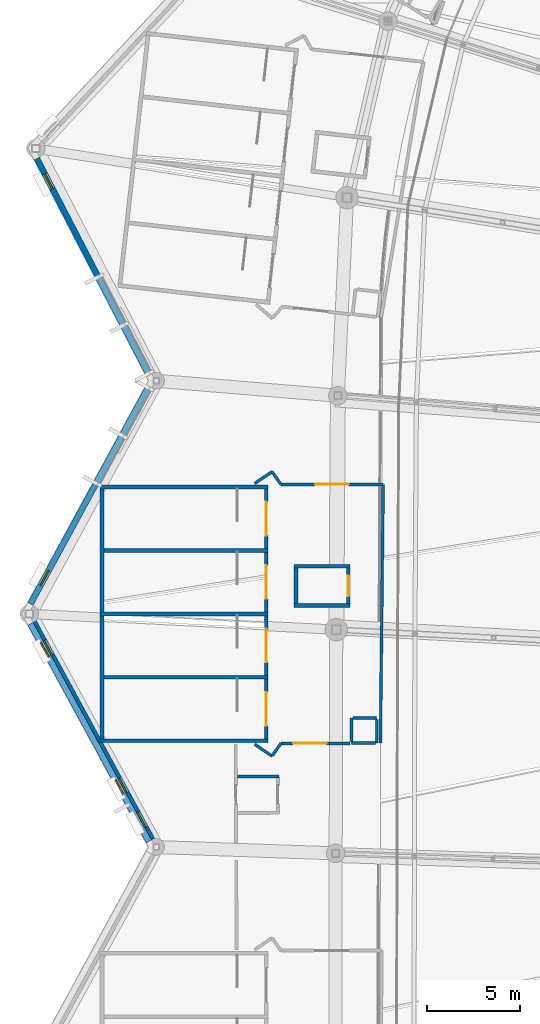
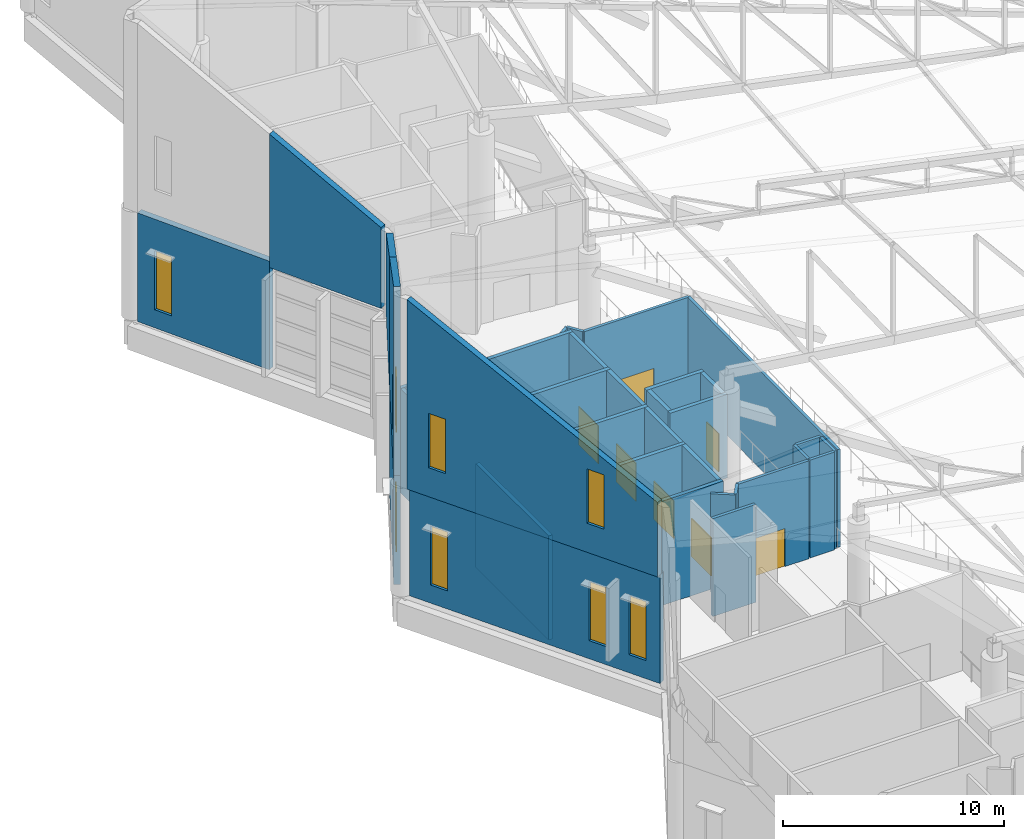
# One storey, part 261 of 344: 34 walls, 8 windows, 7 doors, 15 openings.
"""IFC4 building model written with IfcOpenShell, lengths in metres."""

from ifc_helpers import new_model, si_unit, direction, frame, frame_2d, origin, place, context, subcontext, project, spatial, polyline, rectangle, outline, extrude, material, layer, layer_set, type_object, element, fill, save


model = new_model("IFC4")

# Units and contexts
model_context = context("Model", 3, precision=1e-05, world=origin(), true_north=direction((0.0, 1.0)))
body_context = subcontext(model_context, "Body", "Model", "MODEL_VIEW")
ifc_project = project(units=[si_unit("LENGTHUNIT", "METRE"), si_unit("AREAUNIT", "SQUARE_METRE"), si_unit("VOLUMEUNIT", "CUBIC_METRE"), si_unit("PLANEANGLEUNIT", "RADIAN"), si_unit("MASSUNIT", "GRAM", prefix="KILO")], contexts=[model_context])

# Site, building, storey
site_placement = place(None, origin())
site = spatial("IfcSite", under=ifc_project, at=site_placement, CompositionType="ELEMENT")
building_placement = place(site_placement, origin())
building = spatial("IfcBuilding", under=site, at=building_placement, Name="Meseta Stadium", CompositionType="ELEMENT")
storey_placement = place(building_placement, frame((0.0, 0.0, 24.0)))
storey = spatial("IfcBuildingStorey", under=building, at=storey_placement, Name="L04", CompositionType="ELEMENT", Elevation=24.0)

# Walls
ifc_material_1 = material(Name="Concrete C40/50", Category="concrete")
ifc_layer_1 = layer(ifc_material_1, 0.199951171875)
ifc_layer_set_1 = layer_set([ifc_layer_1], Name="Core divider wall 200")
wall_type_1 = type_object("IfcWallType", Name="Core divider wall 200", PredefinedType="SHEAR", material=ifc_layer_set_1)
for number, where, z_axis, x_axis, name in (
    (1, (-97.60009765625, 34.64990234375, 0.0), (0.0, 0.0, 1.0), (1.0, 0.0, 0.0), "Core 16 L04 stair A divider wall"),
    (2, (-97.60009765625, 27.85009765625, 0.0), (0.0, 0.0, 1.0), (1.0, 0.0, 0.0), "Core 16 L04 stair B divider wall"),
):
    element("IfcWall", number, at=place(storey_placement, frame(where, z_axis=z_axis, x_axis=x_axis)), inside=storey, type_object=wall_type_1, Name=name, PredefinedType="SHEAR", context=body_context, shape_type="SweptSolid", body=[
        extrude(rectangle(XDim=9.0, YDim=0.199951171875, at=frame_2d((4.5, 0.0))), origin(), (0.0, 0.0, 1.0), 5.75),
    ])
ifc_material_2 = material(Name="Concrete C40/50", Category="concrete")
ifc_layer_2 = layer(ifc_material_2, 0.199951171875)
ifc_layer_set_2 = layer_set([ifc_layer_2], Name="Core shaft wall 200")
wall_type_2 = type_object("IfcWallType", Name="Core shaft wall 200", PredefinedType="SHEAR", material=ifc_layer_set_2)
for number, where, z_axis, x_axis, name in (
    (3, (-97.60009765625, 38.050048828125, 0.0), (0.0, 0.0, 1.0), (1.0, 0.0, 0.0), "Core 16 L04 stair wall A-side"),
    (4, (-97.60009765625, 31.25, 0.0), (0.0, 0.0, 1.0), (1.0, 0.0, 0.0), "Core 16 L04 stair wall shared"),
    (5, (-97.60009765625, 24.449951171875, 0.0), (0.0, 0.0, 1.0), (1.0, 0.0, 0.0), "Core 16 L04 stair wall B-side"),
):
    element("IfcWall", number, at=place(storey_placement, frame(where, z_axis=z_axis, x_axis=x_axis)), inside=storey, type_object=wall_type_2, Name=name, PredefinedType="SHEAR", context=body_context, shape_type="SweptSolid", body=[
        extrude(rectangle(XDim=9.0, YDim=0.199951171875, at=frame_2d((4.5, 0.0))), origin(), (0.0, 0.0, 1.0), 5.75),
    ])
for number, where, z_axis, x_axis, name in (
    (6, (-97.5, 37.949951171875, 0.0), (0.0, 0.0, 1.0), (0.0, -1.0, 0.0), "Core 16 L04 stair A outer end wall"),
    (7, (-97.5, 31.14990234375, 0.0), (0.0, 0.0, 1.0), (0.0, -1.0, 0.0), "Core 16 L04 stair B outer end wall"),
):
    element("IfcWall", number, at=place(storey_placement, frame(where, z_axis=z_axis, x_axis=x_axis)), inside=storey, type_object=wall_type_2, Name=name, PredefinedType="SHEAR", context=body_context, shape_type="SweptSolid", body=[
        extrude(rectangle(XDim=6.599853515625, YDim=0.199951171875, at=frame_2d((3.2998046875, 0.0))), origin(), (0.0, 0.0, 1.0), 5.75),
    ])

# Wall, opening, door
wall_1_placement = place(storey_placement, frame((-88.699951171875, 37.949951171875, 0.0), z_axis=(0.0, 0.0, 1.0), x_axis=(0.0, -1.0, 0.0)))
wall_1 = element("IfcWall", 8, at=wall_1_placement, inside=storey, type_object=wall_type_2, Name="Core 16 L04 stair A1 inner end wall", PredefinedType="SHEAR", context=body_context, shape_type="SweptSolid", body=[
    extrude(rectangle(XDim=3.199951171875, YDim=0.199951171875, at=frame_2d((1.60009765625, 0.0))), origin(), (0.0, 0.0, 1.0), 5.75),
])
opening_1_placement = place(wall_1_placement, frame((0.699951171875, 0.0, 0.0)))
opening_1 = element("IfcOpeningElement", 9, at=opening_1_placement, cuts=wall_1, Name="Opening D1513", PredefinedType="OPENING", context=body_context, shape_type="SweptSolid", body=[
    extrude(rectangle(XDim=1.800048828125, YDim=2.10009765625, at=frame_2d((0.89990234375, 1.050048828125))), frame((0.0, 0.10986328125, 0.0), z_axis=(0.0, -1.0, 0.0), x_axis=(1.0, 0.0, 0.0)), (0.0, 0.0, 1.0), 0.219970703125),
])
ifc_material_3 = material(Name="Steel", Category="steel")
door_type_1 = type_object("IfcDoorType", Name="Stair door 1800x2100", OperationType="DOUBLE_DOOR_SINGLE_SWING", PredefinedType="DOOR", material=ifc_material_3)
door_1_placement = place(opening_1_placement, origin())
door_1 = element("IfcDoor", 10, at=door_1_placement, inside=storey, type_object=door_type_1, Name="Stair A1 door 16 L04", OperationType="DOUBLE_DOOR_SINGLE_SWING", OverallHeight=2.10009765625, OverallWidth=1.800048828125, PredefinedType="DOOR", context=body_context, shape_type="SweptSolid", body=[
    extrude(rectangle(XDim=1.800048828125, YDim=2.10009765625, at=frame_2d((0.89990234375, 1.050048828125))), frame((0.0, 0.02490234375, 0.0), z_axis=(0.0, -1.0, 0.0), x_axis=(1.0, 0.0, 0.0)), (0.0, 0.0, 1.0), 0.050048828125),
])
fill(opening_1, door_1)

wall_2_placement = place(storey_placement, frame((-88.699951171875, 34.550048828125, 0.0), z_axis=(0.0, 0.0, 1.0), x_axis=(0.0, -1.0, 0.0)))
wall_2 = element("IfcWall", 11, at=wall_2_placement, inside=storey, type_object=wall_type_2, Name="Core 16 L04 stair A2 inner end wall", PredefinedType="SHEAR", context=body_context, shape_type="SweptSolid", body=[
    extrude(rectangle(XDim=3.199951171875, YDim=0.199951171875, at=frame_2d((1.60009765625, 0.0))), origin(), (0.0, 0.0, 1.0), 5.75),
])
opening_2_placement = place(wall_2_placement, frame((0.699951171875, 0.0, 0.0)))
opening_2 = element("IfcOpeningElement", 12, at=opening_2_placement, cuts=wall_2, Name="Opening D1512", PredefinedType="OPENING", context=body_context, shape_type="SweptSolid", body=[
    extrude(rectangle(XDim=1.800048828125, YDim=2.10009765625, at=frame_2d((0.89990234375, 1.050048828125))), frame((0.0, 0.10986328125, 0.0), z_axis=(0.0, -1.0, 0.0), x_axis=(1.0, 0.0, 0.0)), (0.0, 0.0, 1.0), 0.219970703125),
])
door_2_placement = place(opening_2_placement, origin())
door_2 = element("IfcDoor", 13, at=door_2_placement, inside=storey, type_object=door_type_1, Name="Stair A2 door 16 L04", OperationType="DOUBLE_DOOR_SINGLE_SWING", OverallHeight=2.10009765625, OverallWidth=1.800048828125, PredefinedType="DOOR", context=body_context, shape_type="SweptSolid", body=[
    extrude(rectangle(XDim=1.800048828125, YDim=2.10009765625, at=frame_2d((0.89990234375, 1.050048828125))), frame((0.0, 0.02490234375, 0.0), z_axis=(0.0, -1.0, 0.0), x_axis=(1.0, 0.0, 0.0)), (0.0, 0.0, 1.0), 0.050048828125),
])
fill(opening_2, door_2)

wall_3_placement = place(storey_placement, frame((-88.699951171875, 31.14990234375, 0.0), z_axis=(0.0, 0.0, 1.0), x_axis=(0.0, -1.0, 0.0)))
wall_3 = element("IfcWall", 14, at=wall_3_placement, inside=storey, type_object=wall_type_2, Name="Core 16 L04 stair B1 inner end wall", PredefinedType="SHEAR", context=body_context, shape_type="SweptSolid", body=[
    extrude(rectangle(XDim=3.199951171875, YDim=0.199951171875, at=frame_2d((1.60009765625, 0.0))), origin(), (0.0, 0.0, 1.0), 5.75),
])
opening_3_placement = place(wall_3_placement, frame((0.699951171875, 0.0, 0.0)))
opening_3 = element("IfcOpeningElement", 15, at=opening_3_placement, cuts=wall_3, Name="Opening D1511", PredefinedType="OPENING", context=body_context, shape_type="SweptSolid", body=[
    extrude(rectangle(XDim=1.800048828125, YDim=2.10009765625, at=frame_2d((0.89990234375, 1.050048828125))), frame((0.0, 0.10986328125, 0.0), z_axis=(0.0, -1.0, 0.0), x_axis=(1.0, 0.0, 0.0)), (0.0, 0.0, 1.0), 0.219970703125),
])
door_3_placement = place(opening_3_placement, origin())
door_3 = element("IfcDoor", 16, at=door_3_placement, inside=storey, type_object=door_type_1, Name="Stair B1 door 16 L04", OperationType="DOUBLE_DOOR_SINGLE_SWING", OverallHeight=2.10009765625, OverallWidth=1.800048828125, PredefinedType="DOOR", context=body_context, shape_type="SweptSolid", body=[
    extrude(rectangle(XDim=1.800048828125, YDim=2.10009765625, at=frame_2d((0.89990234375, 1.050048828125))), frame((0.0, 0.02490234375, 0.0), z_axis=(0.0, -1.0, 0.0), x_axis=(1.0, 0.0, 0.0)), (0.0, 0.0, 1.0), 0.050048828125),
])
fill(opening_3, door_3)

wall_4_placement = place(storey_placement, frame((-88.699951171875, 27.75, 0.0), z_axis=(0.0, 0.0, 1.0), x_axis=(0.0, -1.0, 0.0)))
wall_4 = element("IfcWall", 17, at=wall_4_placement, inside=storey, type_object=wall_type_2, Name="Core 16 L04 stair B2 inner end wall", PredefinedType="SHEAR", context=body_context, shape_type="SweptSolid", body=[
    extrude(rectangle(XDim=3.199951171875, YDim=0.199951171875, at=frame_2d((1.60009765625, 0.0))), origin(), (0.0, 0.0, 1.0), 5.75),
])
opening_4_placement = place(wall_4_placement, frame((0.699951171875, 0.0, 0.0)))
opening_4 = element("IfcOpeningElement", 18, at=opening_4_placement, cuts=wall_4, Name="Opening D1510", PredefinedType="OPENING", context=body_context, shape_type="SweptSolid", body=[
    extrude(rectangle(XDim=1.800048828125, YDim=2.10009765625, at=frame_2d((0.89990234375, 1.050048828125))), frame((0.0, 0.10986328125, 0.0), z_axis=(0.0, -1.0, 0.0), x_axis=(1.0, 0.0, 0.0)), (0.0, 0.0, 1.0), 0.219970703125),
])
door_4_placement = place(opening_4_placement, origin())
door_4 = element("IfcDoor", 19, at=door_4_placement, inside=storey, type_object=door_type_1, Name="Stair B2 door 16 L04", OperationType="DOUBLE_DOOR_SINGLE_SWING", OverallHeight=2.10009765625, OverallWidth=1.800048828125, PredefinedType="DOOR", context=body_context, shape_type="SweptSolid", body=[
    extrude(rectangle(XDim=1.800048828125, YDim=2.10009765625, at=frame_2d((0.89990234375, 1.050048828125))), frame((0.0, 0.02490234375, 0.0), z_axis=(0.0, -1.0, 0.0), x_axis=(1.0, 0.0, 0.0)), (0.0, 0.0, 1.0), 0.050048828125),
])
fill(opening_4, door_4)

# Walls
for number, where, z_axis, x_axis, name in (
    (20, (-87.199951171875, 33.800048828125, 0.0), (0.0, 0.0, 1.0), (1.0, 0.0, 0.0), "Core 16 L04 lift shaft wall left"),
    (21, (-87.199951171875, 31.699951171875, 0.0), (0.0, 0.0, 1.0), (1.0, 0.0, 0.0), "Core 16 L04 lift shaft wall right"),
):
    element("IfcWall", number, at=place(storey_placement, frame(where, z_axis=z_axis, x_axis=x_axis)), inside=storey, type_object=wall_type_2, Name=name, PredefinedType="SHEAR", context=body_context, shape_type="SweptSolid", body=[
        extrude(rectangle(XDim=3.0, YDim=0.199951171875, at=frame_2d((1.5, 0.0))), origin(), (0.0, 0.0, 1.0), 4.60009765625),
    ])
wall_5_placement = place(storey_placement, frame((-87.10009765625, 33.699951171875, 0.0), z_axis=(0.0, 0.0, 1.0), x_axis=(0.0, -1.0, 0.0)))
element("IfcWall", 22, at=wall_5_placement, inside=storey, type_object=wall_type_2, Name="Core 16 L04 lift shaft back wall", PredefinedType="SHEAR", context=body_context, shape_type="SweptSolid", body=[
    extrude(rectangle(XDim=1.89990234375, YDim=0.199951171875, at=frame_2d((0.949951171875, 0.0))), origin(), (0.0, 0.0, 1.0), 4.60009765625),
])

# Wall, opening, door
wall_6_placement = place(storey_placement, frame((-84.300048828125, 33.699951171875, 0.0), z_axis=(0.0, 0.0, 1.0), x_axis=(0.0, -1.0, 0.0)))
wall_6 = element("IfcWall", 23, at=wall_6_placement, inside=storey, type_object=wall_type_2, Name="Core 16 L04 lift shaft front wall", PredefinedType="SHEAR", context=body_context, shape_type="SweptSolid", body=[
    extrude(rectangle(XDim=1.89990234375, YDim=0.199951171875, at=frame_2d((0.949951171875, 0.0))), origin(), (0.0, 0.0, 1.0), 4.60009765625),
])
opening_5_placement = place(wall_6_placement, frame((0.39990234375, 0.0, 0.0)))
opening_5 = element("IfcOpeningElement", 24, at=opening_5_placement, cuts=wall_6, Name="Opening LD90", PredefinedType="OPENING", context=body_context, shape_type="SweptSolid", body=[
    extrude(rectangle(XDim=1.10009765625, YDim=2.10009765625, at=frame_2d((0.550048828125, 1.050048828125))), frame((0.0, 0.10986328125, 0.0), z_axis=(0.0, -1.0, 0.0), x_axis=(1.0, 0.0, 0.0)), (0.0, 0.0, 1.0), 0.219970703125),
])
ifc_material_4 = material(Name="Steel", Category="steel")
door_type_2 = type_object("IfcDoorType", Name="Lift landing door 1100x2100", OperationType="SLIDING_TO_LEFT", PredefinedType="DOOR", material=ifc_material_4)
door_5_placement = place(opening_5_placement, origin())
door_5 = element("IfcDoor", 25, at=door_5_placement, inside=storey, type_object=door_type_2, Name="Lift landing door LD90", OperationType="SLIDING_TO_RIGHT", OverallHeight=2.10009765625, OverallWidth=1.10009765625, PredefinedType="DOOR", context=body_context, shape_type="SweptSolid", body=[
    extrude(rectangle(XDim=1.10009765625, YDim=2.10009765625, at=frame_2d((0.550048828125, 1.050048828125))), frame((0.0, 0.02490234375, 0.0), z_axis=(0.0, -1.0, 0.0), x_axis=(1.0, 0.0, 0.0)), (0.0, 0.0, 1.0), 0.050048828125),
])
fill(opening_5, door_5)

# Walls
ifc_material_5 = material(Name="Masonry blockwork", Category="masonry")
ifc_layer_3 = layer(ifc_material_5, 0.14990234375)
ifc_layer_set_3 = layer_set([ifc_layer_3], Name="Partition 150")
wall_type_3 = type_object("IfcWallType", Name="Partition 150", PredefinedType="PARTITIONING", material=ifc_layer_set_3)
wall_7_placement = place(storey_placement, frame((-84.125, 25.675048828125, 0.0), z_axis=(0.0, 0.0, 1.0), x_axis=(0.0, -1.0, 0.0)))
element("IfcWall", 26, at=wall_7_placement, inside=storey, type_object=wall_type_3, Name="Pressurisation shaft wall L04 core 16", PredefinedType="PARTITIONING", context=body_context, shape_type="SweptSolid", body=[
    extrude(rectangle(XDim=1.275146484375, YDim=0.14990234375, at=frame_2d((0.6376953125, 0.0))), origin(), (0.0, 0.0, 1.0), 5.39990234375),
])
wall_8_placement = place(storey_placement, frame((-84.125, 24.324951171875, 0.0), z_axis=(0.0, 0.0, 1.0), x_axis=(1.0, 0.0, 0.0)))
element("IfcWall", 27, at=wall_8_placement, inside=storey, type_object=wall_type_3, Name="Pressurisation shaft wall L04 core 16", PredefinedType="PARTITIONING", context=body_context, shape_type="SweptSolid", body=[
    extrude(rectangle(XDim=1.27490234375, YDim=0.14990234375, at=frame_2d((0.637451171875, 0.0))), origin(), (0.0, 0.0, 1.0), 5.39990234375),
])
for number, where, z_axis, x_axis, name in (
    (28, (-82.77490234375, 24.324951171875, 0.0), (0.0, 0.0, 1.0), (0.0, 1.0, 0.0), "Pressurisation shaft wall L04 core 16"),
    (29, (-82.77490234375, 25.675048828125, 0.0), (0.0, 0.0, 1.0), (-1.0, 0.0, 0.0), "Pressurisation shaft wall L04 core 16"),
):
    element("IfcWall", number, at=place(storey_placement, frame(where, z_axis=z_axis, x_axis=x_axis)), inside=storey, type_object=wall_type_3, Name=name, PredefinedType="PARTITIONING", context=body_context, shape_type="SweptSolid", body=[
        extrude(rectangle(XDim=1.275146484375, YDim=0.14990234375, at=frame_2d((0.6376953125, 0.0))), origin(), (0.0, 0.0, 1.0), 5.39990234375),
    ])
wall_9_placement = place(storey_placement, frame((-89.319580078125, 24.260498046875, 0.0), z_axis=(0.0, 0.0, 1.0), x_axis=(0.827055308354, -0.562120553728, 0.0)))
element("IfcWall", 30, at=wall_9_placement, inside=storey, type_object=wall_type_3, Name="Stair vestibule wall L04 core 16", PredefinedType="PARTITIONING", context=body_context, shape_type="SweptSolid", body=[
    extrude(rectangle(XDim=1.1279296875, YDim=0.14990234375, at=frame_2d((0.56396484375, 0.0))), origin(), (0.0, 0.0, 1.0), 5.39990234375),
])
wall_10_placement = place(storey_placement, frame((-88.38671875, 23.62646484375, 0.0), z_axis=(0.0, 0.0, 1.0), x_axis=(0.575376756214, 0.817888493872, 0.0)))
element("IfcWall", 31, at=wall_10_placement, inside=storey, type_object=wall_type_3, Name="Stair vestibule wall L04 core 16", PredefinedType="PARTITIONING", context=body_context, shape_type="SweptSolid", body=[
    extrude(rectangle(XDim=0.82958984375, YDim=0.14990234375, at=frame_2d((0.414794921875, 0.0))), origin(), (0.0, 0.0, 1.0), 5.39990234375),
])

# Wall, opening, door
wall_11_placement = place(storey_placement, frame((-87.909423828125, 24.304931640625, 0.0), z_axis=(0.0, 0.0, 1.0), x_axis=(1.0, 0.0, 0.0)))
wall_11 = element("IfcWall", 32, at=wall_11_placement, inside=storey, type_object=wall_type_3, Name="Stair vestibule wall L04 core 16", PredefinedType="PARTITIONING", context=body_context, shape_type="SweptSolid", body=[
    extrude(rectangle(XDim=3.70361328125, YDim=0.14990234375, at=frame_2d((1.851806640625, 0.0))), origin(), (0.0, 0.0, 1.0), 5.39990234375),
])
opening_6_placement = place(wall_11_placement, frame((0.64990234375, 0.0, 0.0)))
opening_6 = element("IfcOpeningElement", 33, at=opening_6_placement, cuts=wall_11, Name="Opening D1526", PredefinedType="OPENING", context=body_context, shape_type="SweptSolid", body=[
    extrude(rectangle(XDim=1.800048828125, YDim=2.10009765625, at=frame_2d((0.89990234375, 1.050048828125))), frame((0.0, 0.0849609375, 0.0), z_axis=(0.0, -1.0, 0.0), x_axis=(1.0, 0.0, 0.0)), (0.0, 0.0, 1.0), 0.169921875),
])
ifc_material_6 = material(Name="Steel", Category="steel")
door_type_3 = type_object("IfcDoorType", Name="Fire double door 1800x2100 EI2 60", OperationType="DOUBLE_DOOR_SINGLE_SWING", PredefinedType="DOOR", material=ifc_material_6)
door_6_placement = place(opening_6_placement, origin())
door_6 = element("IfcDoor", 34, at=door_6_placement, inside=storey, type_object=door_type_3, Name="Stair vestibule door L04 core 16", OperationType="DOUBLE_DOOR_SINGLE_SWING", OverallHeight=2.10009765625, OverallWidth=1.800048828125, PredefinedType="DOOR", context=body_context, shape_type="SweptSolid", body=[
    extrude(rectangle(XDim=1.800048828125, YDim=2.10009765625, at=frame_2d((0.89990234375, 1.050048828125))), frame((0.0, 0.02490234375, 0.0), z_axis=(0.0, -1.0, 0.0), x_axis=(1.0, 0.0, 0.0)), (0.0, 0.0, 1.0), 0.050048828125),
])
fill(opening_6, door_6)

# Wall
wall_12_placement = place(storey_placement, frame((-82.575439453125, 24.339111328125, 0.0), z_axis=(0.0, 0.0, 1.0), x_axis=(0.010765137173, 0.999942054232, 0.0)))
element("IfcWall", 35, at=wall_12_placement, inside=storey, type_object=wall_type_3, Name="Stair vestibule wall L04 core 16", PredefinedType="PARTITIONING", context=body_context, shape_type="SweptSolid", body=[
    extrude(rectangle(XDim=13.856689453125, YDim=0.14990234375, at=frame_2d((6.92822265625, 0.0))), origin(), (0.0, 0.0, 1.0), 5.39990234375),
])

# Wall, opening, door
wall_13_placement = place(storey_placement, frame((-82.42626953125, 38.195068359375, 0.0), z_axis=(0.0, 0.0, 1.0), x_axis=(-1.0, 0.0, 0.0)))
wall_13 = element("IfcWall", 36, at=wall_13_placement, inside=storey, type_object=wall_type_3, Name="Stair vestibule wall L04 core 16", PredefinedType="PARTITIONING", context=body_context, shape_type="SweptSolid", body=[
    extrude(rectangle(XDim=5.48291015625, YDim=0.14990234375, at=frame_2d((2.741455078125, 0.0))), origin(), (0.0, 0.0, 1.0), 5.39990234375),
])
opening_7_placement = place(wall_13_placement, frame((1.85009765625, 0.0, 0.0)))
opening_7 = element("IfcOpeningElement", 37, at=opening_7_placement, cuts=wall_13, Name="Opening D1531", PredefinedType="OPENING", context=body_context, shape_type="SweptSolid", body=[
    extrude(rectangle(XDim=1.800048828125, YDim=2.10009765625, at=frame_2d((0.89990234375, 1.050048828125))), frame((0.0, 0.0849609375, 0.0), z_axis=(0.0, -1.0, 0.0), x_axis=(1.0, 0.0, 0.0)), (0.0, 0.0, 1.0), 0.169921875),
])
door_7_placement = place(opening_7_placement, origin())
door_7 = element("IfcDoor", 38, at=door_7_placement, inside=storey, type_object=door_type_3, Name="Stair vestibule door L04 core 16", OperationType="DOUBLE_DOOR_SINGLE_SWING", OverallHeight=2.10009765625, OverallWidth=1.800048828125, PredefinedType="DOOR", context=body_context, shape_type="SweptSolid", body=[
    extrude(rectangle(XDim=1.800048828125, YDim=2.10009765625, at=frame_2d((0.89990234375, 1.050048828125))), frame((0.0, 0.02490234375, 0.0), z_axis=(0.0, -1.0, 0.0), x_axis=(1.0, 0.0, 0.0)), (0.0, 0.0, 1.0), 0.050048828125),
])
fill(opening_7, door_7)

# Walls
wall_14_placement = place(storey_placement, frame((-87.9091796875, 38.195068359375, 0.0), z_axis=(0.0, 0.0, 1.0), x_axis=(-0.575573582652, 0.81774999294, 0.0)))
element("IfcWall", 39, at=wall_14_placement, inside=storey, type_object=wall_type_3, Name="Stair vestibule wall L04 core 16", PredefinedType="PARTITIONING", context=body_context, shape_type="SweptSolid", body=[
    extrude(rectangle(XDim=0.82958984375, YDim=0.14990234375, at=frame_2d((0.414794921875, 0.0))), origin(), (0.0, 0.0, 1.0), 5.39990234375),
])
wall_15_placement = place(storey_placement, frame((-88.38671875, 38.87353515625, 0.0), z_axis=(0.0, 0.0, 1.0), x_axis=(-0.827055308354, -0.562120553728, 0.0)))
element("IfcWall", 40, at=wall_15_placement, inside=storey, type_object=wall_type_3, Name="Stair vestibule wall L04 core 16", PredefinedType="PARTITIONING", context=body_context, shape_type="SweptSolid", body=[
    extrude(rectangle(XDim=1.1279296875, YDim=0.14990234375, at=frame_2d((0.56396484375, 0.0))), origin(), (0.0, 0.0, 1.0), 5.39990234375),
])
wall_16_placement = place(storey_placement, frame((-90.248779296875, 22.525390625, 0.0), z_axis=(0.0, 0.0, 1.0), x_axis=(0.999992788652, 0.003797715669, 0.0)))
element("IfcWall", 41, at=wall_16_placement, inside=storey, type_object=wall_type_3, Name="Partition L04 L04-cell15-1-0 vestibule", PredefinedType="PARTITIONING", context=body_context, shape_type="SweptSolid", body=[
    extrude(rectangle(XDim=2.25, YDim=0.14990234375, at=frame_2d((1.125, 0.0))), origin(), (0.0, 0.0, 1.0), 5.39990234375),
])
ifc_material_7 = material(Name="White precast concrete C40/50", Category="concrete")
ifc_layer_4 = layer(ifc_material_7, 0.320068359375)
ifc_layer_set_4 = layer_set([ifc_layer_4], Name="Pleated fascia panel 320 raked")
wall_type_4 = type_object("IfcWallType", Name="Pleated fascia panel 320 raked", PredefinedType="SOLIDWALL", material=ifc_layer_set_4)
wall_17_placement = place(storey_placement, frame((-94.984375, 44.057373046875, 5.64990234375), z_axis=(0.0, 0.0, 1.0), x_axis=(-0.460041593728, 0.887897365713, 0.0)))
element("IfcWall", 42, at=wall_17_placement, inside=storey, type_object=wall_type_4, Name="Pleated facade panel above atrium F28", PredefinedType="SOLIDWALL", context=body_context, shape_type="SweptSolid", body=[
    extrude(outline(polyline([(0.0, 0.0), (6.0, 0.0), (6.0, 7.3671875), (0.0, 4.458251953125), (0.0, 0.0)])), frame((0.0, 0.16015625, 0.0), z_axis=(0.0, -1.0, 0.0), x_axis=(1.0, 0.0, 0.0)), (0.0, 0.0, 1.0), 0.320068359375),
])

# Wall, opening, window
wall_18_placement = place(storey_placement, frame((-101.3369140625, 31.78466796875, 6.0), z_axis=(0.0, 0.0, 1.0), x_axis=(0.477865020076, 0.878433277255, 0.0)))
wall_18 = element("IfcWall", 43, at=wall_18_placement, inside=storey, type_object=wall_type_4, Name="Pleated fascia panel L04 F29", PredefinedType="SOLIDWALL", context=body_context, shape_type="SweptSolid", body=[
    extrude(outline(polyline([(0.0, 0.0), (7.2802734375, 0.0), (7.2802734375, 6.97216796875), (0.0, 10.451171875), (0.0, 0.0)])), frame((0.0, 0.16015625, 0.0), z_axis=(0.0, -1.0, 0.0), x_axis=(1.0, 0.0, 0.0)), (0.0, 0.0, 1.0), 0.320068359375),
])
opening_8_placement = place(wall_18_placement, frame((1.130126953125, 0.0, 1.60009765625)))
opening_8 = element("IfcOpeningElement", 44, at=opening_8_placement, cuts=wall_18, Name="Opening W188", PredefinedType="OPENING", context=body_context, shape_type="SweptSolid", body=[
    extrude(rectangle(XDim=0.89990234375, YDim=3.0, at=frame_2d((0.449951171875, 1.5))), frame((0.0, 0.169921875, 0.0), z_axis=(0.0, -1.0, 0.0), x_axis=(1.0, 0.0, 0.0)), (0.0, 0.0, 1.0), 0.340087890625),
])
ifc_material_8 = material(Name="Aluminium", Category="aluminium")
window_type_1 = type_object("IfcWindowType", Name="Slot window 900x3000", PartitioningType="SINGLE_PANEL", PredefinedType="WINDOW", material=ifc_material_8)
window_1_placement = place(opening_8_placement, origin())
window_1 = element("IfcWindow", 45, at=window_1_placement, inside=storey, type_object=window_type_1, Name="Slot window L04 F29.6", OverallHeight=3.0, OverallWidth=0.89990234375, PartitioningType="SINGLE_PANEL", PredefinedType="WINDOW", context=body_context, shape_type="SweptSolid", body=[
    extrude(rectangle(XDim=0.89990234375, YDim=3.0, at=frame_2d((0.449951171875, 1.5))), frame((0.0, 0.030029296875, 0.0), z_axis=(0.0, -1.0, 0.0), x_axis=(1.0, 0.0, 0.0)), (0.0, 0.0, 1.0), 0.06005859375),
])
fill(opening_8, window_1)

# Wall
wall_19_placement = place(storey_placement, frame((-97.85791015625, 38.179931640625, 5.64990234375), z_axis=(0.0, 0.0, 1.0), x_axis=(0.477871109227, 0.878429964747, 0.0)))
element("IfcWall", 46, at=wall_19_placement, inside=storey, type_object=wall_type_4, Name="Pleated facade panel above atrium F29", PredefinedType="SOLIDWALL", context=body_context, shape_type="SweptSolid", body=[
    extrude(outline(polyline([(0.0, 0.0), (6.0, 0.0), (6.0, 4.455078125), (0.0, 7.322265625), (0.0, 0.0)])), frame((0.0, 0.16015625, 0.0), z_axis=(0.0, -1.0, 0.0), x_axis=(1.0, 0.0, 0.0)), (0.0, 0.0, 1.0), 0.320068359375),
])

# Wall, openings, windows
wall_20_placement = place(storey_placement, frame((-94.99072265625, 19.049560546875, 6.0), z_axis=(0.0, 0.0, 1.0), x_axis=(-0.477867771117, 0.878431780691, 0.0)))
wall_20 = element("IfcWall", 47, at=wall_20_placement, inside=storey, type_object=wall_type_4, Name="Pleated fascia panel L04 F30", PredefinedType="SOLIDWALL", context=body_context, shape_type="SweptSolid", body=[
    extrude(outline(polyline([(0.0, 0.0), (13.2802734375, 0.0), (13.2802734375, 10.451171875), (0.0, 4.10498046875), (0.0, 0.0)])), frame((0.0, 0.16015625, 0.0), z_axis=(0.0, -1.0, 0.0), x_axis=(1.0, 0.0, 0.0)), (0.0, 0.0, 1.0), 0.320068359375),
])
opening_9_placement = place(wall_20_placement, frame((2.85009765625, 0.0, 1.60009765625)))
opening_9 = element("IfcOpeningElement", 48, at=opening_9_placement, cuts=wall_20, Name="Opening W202", PredefinedType="OPENING", context=body_context, shape_type="SweptSolid", body=[
    extrude(rectangle(XDim=0.89990234375, YDim=3.0, at=frame_2d((0.449951171875, 1.5))), frame((0.0, 0.169921875, 0.0), z_axis=(0.0, -1.0, 0.0), x_axis=(1.0, 0.0, 0.0)), (0.0, 0.0, 1.0), 0.340087890625),
])
opening_10_placement = place(wall_20_placement, frame((11.250244140625, 0.0, 1.60009765625)))
opening_10 = element("IfcOpeningElement", 49, at=opening_10_placement, cuts=wall_20, Name="Opening W186", PredefinedType="OPENING", context=body_context, shape_type="SweptSolid", body=[
    extrude(rectangle(XDim=0.89990234375, YDim=3.0, at=frame_2d((0.449951171875, 1.5))), frame((0.0, 0.169921875, 0.0), z_axis=(0.0, -1.0, 0.0), x_axis=(1.0, 0.0, 0.0)), (0.0, 0.0, 1.0), 0.340087890625),
])
window_2_placement = place(opening_9_placement, origin())
window_2 = element("IfcWindow", 50, at=window_2_placement, inside=storey, type_object=window_type_1, Name="Slot window L04 F30.2", OverallHeight=3.0, OverallWidth=0.89990234375, PartitioningType="SINGLE_PANEL", PredefinedType="WINDOW", context=body_context, shape_type="SweptSolid", body=[
    extrude(rectangle(XDim=0.89990234375, YDim=3.0, at=frame_2d((0.449951171875, 1.5))), frame((0.0, 0.030029296875, 0.0), z_axis=(0.0, -1.0, 0.0), x_axis=(1.0, 0.0, 0.0)), (0.0, 0.0, 1.0), 0.06005859375),
])
fill(opening_9, window_2)
window_3_placement = place(opening_10_placement, origin())
window_3 = element("IfcWindow", 51, at=window_3_placement, inside=storey, type_object=window_type_1, Name="Slot window L04 F30.6", OverallHeight=3.0, OverallWidth=0.89990234375, PartitioningType="SINGLE_PANEL", PredefinedType="WINDOW", context=body_context, shape_type="SweptSolid", body=[
    extrude(rectangle(XDim=0.89990234375, YDim=3.0, at=frame_2d((0.449951171875, 1.5))), frame((0.0, 0.030029296875, 0.0), z_axis=(0.0, -1.0, 0.0), x_axis=(1.0, 0.0, 0.0)), (0.0, 0.0, 1.0), 0.06005859375),
])
fill(opening_10, window_3)

# Wall, opening, window
ifc_material_9 = material(Name="White precast concrete C40/50", Category="concrete")
ifc_layer_5 = layer(ifc_material_9, 0.320068359375)
ifc_layer_set_5 = layer_set([ifc_layer_5], Name="Pleated panel wall 320")
wall_type_5 = type_object("IfcWallType", Name="Pleated panel wall 320", PredefinedType="SOLIDWALL", material=ifc_layer_set_5)
wall_21_placement = place(storey_placement, frame((-97.74462890625, 49.384765625, 0.0), z_axis=(0.0, 0.0, 1.0), x_axis=(-0.459989799354, 0.887924199743, 0.0)))
wall_21 = element("IfcWall", 52, at=wall_21_placement, inside=storey, type_object=wall_type_5, Name="Pleated facade panel L04 F28", PredefinedType="SOLIDWALL", context=body_context, shape_type="SweptSolid", body=[
    extrude(rectangle(XDim=7.075439453125, YDim=0.320068359375, at=frame_2d((3.53759765625, 0.0))), origin(), (0.0, 0.0, 1.0), 6.0),
])
opening_11_placement = place(wall_21_placement, frame((5.250244140625, 0.0, 1.0)))
opening_11 = element("IfcOpeningElement", 53, at=opening_11_placement, cuts=wall_21, Name="Opening W192", PredefinedType="OPENING", context=body_context, shape_type="SweptSolid", body=[
    extrude(rectangle(XDim=0.89990234375, YDim=3.25, at=frame_2d((0.449951171875, 1.625))), frame((0.0, 0.169921875, 0.0), z_axis=(0.0, -1.0, 0.0), x_axis=(1.0, 0.0, 0.0)), (0.0, 0.0, 1.0), 0.340087890625),
])
ifc_material_10 = material(Name="Aluminium", Category="aluminium")
window_type_2 = type_object("IfcWindowType", Name="Slot window 900x3250", PartitioningType="SINGLE_PANEL", PredefinedType="WINDOW", material=ifc_material_10)
window_4_placement = place(opening_11_placement, origin())
window_4 = element("IfcWindow", 54, at=window_4_placement, inside=storey, type_object=window_type_2, Name="Slot window L04 F28.6", OverallHeight=3.25, OverallWidth=0.89990234375, PartitioningType="SINGLE_PANEL", PredefinedType="WINDOW", context=body_context, shape_type="SweptSolid", body=[
    extrude(rectangle(XDim=0.89990234375, YDim=3.25, at=frame_2d((0.449951171875, 1.625))), frame((0.0, 0.030029296875, 0.0), z_axis=(0.0, -1.0, 0.0), x_axis=(1.0, 0.0, 0.0)), (0.0, 0.0, 1.0), 0.06005859375),
])
fill(opening_11, window_4)

wall_22_placement = place(storey_placement, frame((-101.3369140625, 31.78466796875, 0.0), z_axis=(0.0, 0.0, 1.0), x_axis=(0.477865020076, 0.878433277255, 0.0)))
wall_22 = element("IfcWall", 55, at=wall_22_placement, inside=storey, type_object=wall_type_5, Name="Pleated facade panel L04 F29", PredefinedType="SOLIDWALL", context=body_context, shape_type="SweptSolid", body=[
    extrude(rectangle(XDim=7.2802734375, YDim=0.320068359375, at=frame_2d((3.64013671875, 0.0))), origin(), (0.0, 0.0, 1.0), 6.0),
])
opening_12_placement = place(wall_22_placement, frame((1.130126953125, 0.0, 1.0)))
opening_12 = element("IfcOpeningElement", 56, at=opening_12_placement, cuts=wall_22, Name="Opening W187", PredefinedType="OPENING", context=body_context, shape_type="SweptSolid", body=[
    extrude(rectangle(XDim=0.89990234375, YDim=3.25, at=frame_2d((0.449951171875, 1.625))), frame((0.0, 0.169921875, 0.0), z_axis=(0.0, -1.0, 0.0), x_axis=(1.0, 0.0, 0.0)), (0.0, 0.0, 1.0), 0.340087890625),
])
window_5_placement = place(opening_12_placement, origin())
window_5 = element("IfcWindow", 57, at=window_5_placement, inside=storey, type_object=window_type_2, Name="Slot window L04 F29.6", OverallHeight=3.25, OverallWidth=0.89990234375, PartitioningType="SINGLE_PANEL", PredefinedType="WINDOW", context=body_context, shape_type="SweptSolid", body=[
    extrude(rectangle(XDim=0.89990234375, YDim=3.25, at=frame_2d((0.449951171875, 1.625))), frame((0.0, 0.030029296875, 0.0), z_axis=(0.0, -1.0, 0.0), x_axis=(1.0, 0.0, 0.0)), (0.0, 0.0, 1.0), 0.06005859375),
])
fill(opening_12, window_5)

# Wall, openings, windows
wall_23_placement = place(storey_placement, frame((-94.81494140625, 19.145263671875, 0.0), z_axis=(0.0, 0.0, 1.0), x_axis=(-0.477867771117, 0.878431780691, 0.0)))
wall_23 = element("IfcWall", 58, at=wall_23_placement, inside=storey, type_object=wall_type_5, Name="Pleated facade panel L04 F30", PredefinedType="SOLIDWALL", context=body_context, shape_type="SweptSolid", body=[
    extrude(rectangle(XDim=13.2802734375, YDim=0.320068359375, at=frame_2d((6.64013671875, 0.0))), origin(), (0.0, 0.0, 1.0), 6.0),
])
opening_13_placement = place(wall_23_placement, frame((0.750244140625, 0.0, 1.0)))
opening_13 = element("IfcOpeningElement", 59, at=opening_13_placement, cuts=wall_23, Name="Opening W208", PredefinedType="OPENING", context=body_context, shape_type="SweptSolid", body=[
    extrude(rectangle(XDim=0.89990234375, YDim=3.25, at=frame_2d((0.449951171875, 1.625))), frame((0.0, 0.169921875, 0.0), z_axis=(0.0, -1.0, 0.0), x_axis=(1.0, 0.0, 0.0)), (0.0, 0.0, 1.0), 0.340087890625),
])
opening_14_placement = place(wall_23_placement, frame((2.85009765625, 0.0, 1.0)))
opening_14 = element("IfcOpeningElement", 60, at=opening_14_placement, cuts=wall_23, Name="Opening W205", PredefinedType="OPENING", context=body_context, shape_type="SweptSolid", body=[
    extrude(rectangle(XDim=0.89990234375, YDim=3.25, at=frame_2d((0.449951171875, 1.625))), frame((0.0, 0.169921875, 0.0), z_axis=(0.0, -1.0, 0.0), x_axis=(1.0, 0.0, 0.0)), (0.0, 0.0, 1.0), 0.340087890625),
])
opening_15_placement = place(wall_23_placement, frame((11.250244140625, 0.0, 1.0)))
opening_15 = element("IfcOpeningElement", 61, at=opening_15_placement, cuts=wall_23, Name="Opening W191", PredefinedType="OPENING", context=body_context, shape_type="SweptSolid", body=[
    extrude(rectangle(XDim=0.89990234375, YDim=3.25, at=frame_2d((0.449951171875, 1.625))), frame((0.0, 0.169921875, 0.0), z_axis=(0.0, -1.0, 0.0), x_axis=(1.0, 0.0, 0.0)), (0.0, 0.0, 1.0), 0.340087890625),
])
window_6_placement = place(opening_13_placement, origin())
window_6 = element("IfcWindow", 62, at=window_6_placement, inside=storey, type_object=window_type_2, Name="Slot window L04 F30.1", OverallHeight=3.25, OverallWidth=0.89990234375, PartitioningType="SINGLE_PANEL", PredefinedType="WINDOW", context=body_context, shape_type="SweptSolid", body=[
    extrude(rectangle(XDim=0.89990234375, YDim=3.25, at=frame_2d((0.449951171875, 1.625))), frame((0.0, 0.030029296875, 0.0), z_axis=(0.0, -1.0, 0.0), x_axis=(1.0, 0.0, 0.0)), (0.0, 0.0, 1.0), 0.06005859375),
])
fill(opening_13, window_6)
window_7_placement = place(opening_14_placement, origin())
window_7 = element("IfcWindow", 63, at=window_7_placement, inside=storey, type_object=window_type_2, Name="Slot window L04 F30.2", OverallHeight=3.25, OverallWidth=0.89990234375, PartitioningType="SINGLE_PANEL", PredefinedType="WINDOW", context=body_context, shape_type="SweptSolid", body=[
    extrude(rectangle(XDim=0.89990234375, YDim=3.25, at=frame_2d((0.449951171875, 1.625))), frame((0.0, 0.030029296875, 0.0), z_axis=(0.0, -1.0, 0.0), x_axis=(1.0, 0.0, 0.0)), (0.0, 0.0, 1.0), 0.06005859375),
])
fill(opening_14, window_7)
window_8_placement = place(opening_15_placement, origin())
window_8 = element("IfcWindow", 64, at=window_8_placement, inside=storey, type_object=window_type_2, Name="Slot window L04 F30.6", OverallHeight=3.25, OverallWidth=0.89990234375, PartitioningType="SINGLE_PANEL", PredefinedType="WINDOW", context=body_context, shape_type="SweptSolid", body=[
    extrude(rectangle(XDim=0.89990234375, YDim=3.25, at=frame_2d((0.449951171875, 1.625))), frame((0.0, 0.030029296875, 0.0), z_axis=(0.0, -1.0, 0.0), x_axis=(1.0, 0.0, 0.0)), (0.0, 0.0, 1.0), 0.06005859375),
])
fill(opening_15, window_8)

save(model, "model.ifc")
